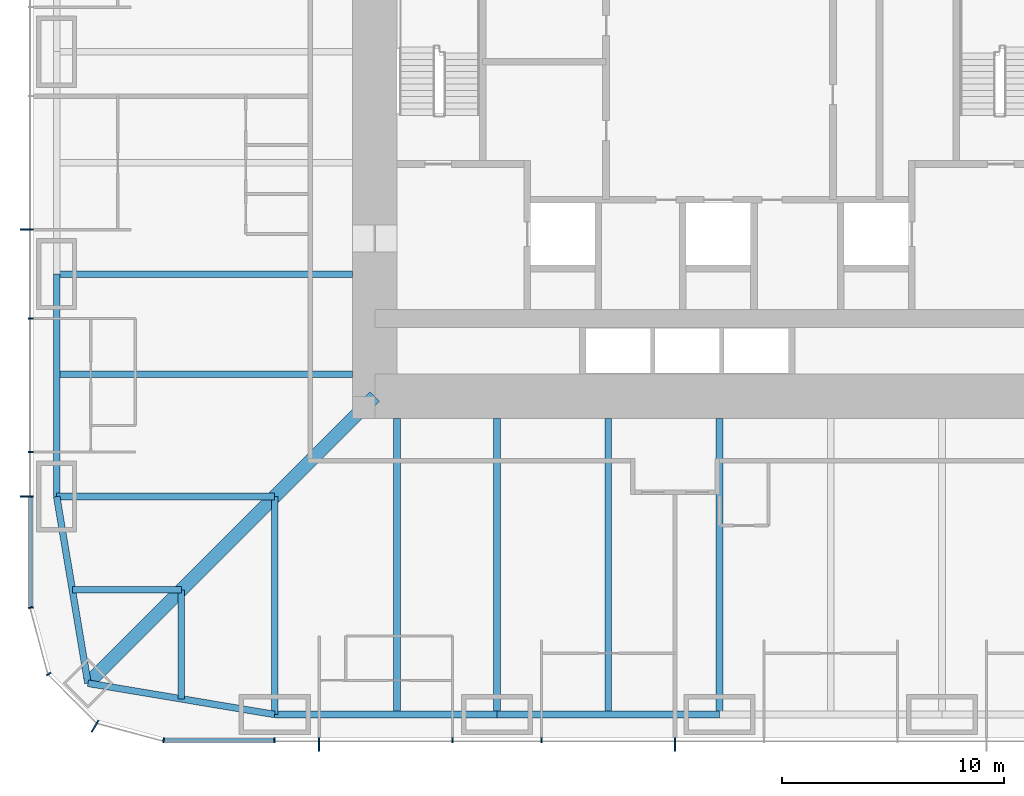
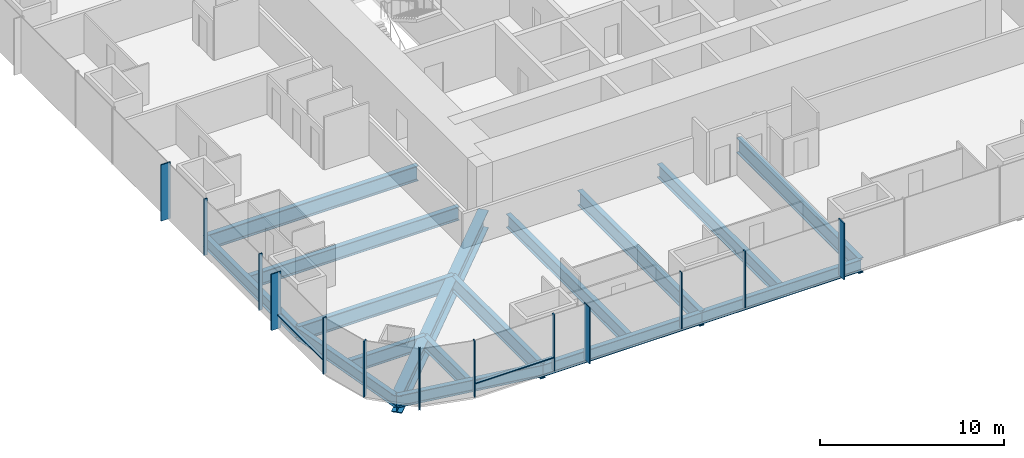
# One storey, part 2 of 17: 16 beams, 15 members, 3 elements without a shape of their own.
"""IFC4 building model written with IfcOpenShell, lengths in metres."""

import ifcopenshell
import ifcopenshell.guid

model = None  # the IFC model being written
_history = None  # IfcOwnerHistory: only IFC2X3 demands one
_inside = {}  # id of a spatial element -> (the spatial element, [elements in it])
_under = {}  # id of a project, library or spatial element -> (it, [spatial elements below it])
_declared = {}  # id of a project -> (the project, [libraries it declares])
_typed = {}  # id of a type object -> (the type object, [elements of that type])
_made_of = {}  # id of a material, layer set ... -> (it, [elements and type objects made of it])


def new_model(schema):
    """Start an empty IFC model of exactly this schema.

    Asked for "IFC4X3", IfcOpenShell would pick the latest addendum, in which some entities
    have other attributes; the version numbers below select the first issue.
    IFC2X3 requires an IfcOwnerHistory on every rooted entity: one is made here for all.
    """
    global model, _history
    if schema == "IFC4X3":
        model = ifcopenshell.file(schema_version=(4, 3, 0, 0))
    else:
        model = ifcopenshell.file(schema=schema)
    _inside.clear()
    _under.clear()
    _declared.clear()
    _typed.clear()
    _made_of.clear()
    _history = None
    if model.schema == "IFC2X3":
        org = make("IfcOrganization", Name="unknown")
        user = make(
            "IfcPersonAndOrganization",
            ThePerson=make("IfcPerson", FamilyName="unknown"),
            TheOrganization=org,
        )
        app = make(
            "IfcApplication",
            ApplicationDeveloper=org,
            Version="unknown",
            ApplicationFullName="unknown",
            ApplicationIdentifier="unknown",
        )
        _history = make(
            "IfcOwnerHistory",
            OwningUser=user,
            OwningApplication=app,
            ChangeAction="ADDED",
            CreationDate=0,
        )
    return model


def make(cls, **values):
    """One entity of the class cls with the attributes given. An attribute that is None is left unset."""
    return model.create_entity(
        cls, **{name: value for name, value in values.items() if value is not None}
    )


def rooted(cls, **values):
    """An entity with a GlobalId (a new one), such as an element, a storey or a relation."""
    return make(cls, GlobalId=ifcopenshell.guid.new(), OwnerHistory=_history, **values)


def si_unit(unit_type, name, prefix=None):
    """IfcSIUnit, for example si_unit("LENGTHUNIT", "METRE", prefix="MILLI")."""
    return make("IfcSIUnit", UnitType=unit_type, Prefix=prefix, Name=name)


def assignment(units):
    """IfcUnitAssignment: the units of a project."""
    return None if units is None else make("IfcUnitAssignment", Units=units)


def point(xyz):
    """IfcCartesianPoint."""
    return None if xyz is None else make("IfcCartesianPoint", Coordinates=xyz)


def direction(xyz):
    """IfcDirection."""
    return None if xyz is None else make("IfcDirection", DirectionRatios=xyz)


def frame(location, z_axis=None, x_axis=None):
    """IfcAxis2Placement3D, a coordinate frame: its origin and axes. An axis left out is left unset."""
    return make(
        "IfcAxis2Placement3D",
        Location=point(location),
        Axis=direction(z_axis),
        RefDirection=direction(x_axis),
    )


def frame_2d(location, x_axis=None):
    """IfcAxis2Placement2D, a coordinate frame in the plane: its origin and x axis."""
    return make(
        "IfcAxis2Placement2D", Location=point(location), RefDirection=direction(x_axis)
    )


def origin():
    """The frame at (0, 0, 0) with its axes left unset."""
    return frame((0.0, 0.0, 0.0))


def origin_2d():
    """The frame at (0, 0) in the plane with its x axis left unset."""
    return frame_2d((0.0, 0.0))


def place(relative_to, where):
    """IfcLocalPlacement: puts the frame where relative to a parent placement (None: the world)."""
    return make(
        "IfcLocalPlacement", PlacementRelTo=relative_to, RelativePlacement=where
    )


def context(
    kind, dimensions, precision=None, world=None, true_north=None, identifier=None
):
    """IfcGeometricRepresentationContext, for example the 3D "Model" context."""
    return make(
        "IfcGeometricRepresentationContext",
        ContextIdentifier=identifier,
        ContextType=kind,
        CoordinateSpaceDimension=dimensions,
        Precision=precision,
        WorldCoordinateSystem=world,
        TrueNorth=true_north,
    )


def subcontext(parent, identifier, kind, view, scale=None):
    """IfcGeometricRepresentationSubContext, for example "Body" below "Model"."""
    return make(
        "IfcGeometricRepresentationSubContext",
        ContextIdentifier=identifier,
        ContextType=kind,
        ParentContext=parent,
        TargetScale=scale,
        TargetView=view,
    )


def project(units=None, contexts=None):
    """IfcProject with its units and contexts."""
    return rooted(
        "IfcProject",
        Name="project",
        RepresentationContexts=contexts,
        UnitsInContext=assignment(units),
    )


def spatial(cls, under=None, at=None, **own):
    """A site, building, storey or space (cls), placed at a placement, below another one or the project."""
    s = rooted(cls, ObjectPlacement=at, **own)
    if under is not None:
        _under.setdefault(under.id(), (under, []))[1].append(s)
    return s


def profile(cls, at=None, kind="AREA", **sizes):
    """A parametric profile (cls). Its sizes go by their IFC names, for example OverallWidth=200.0."""
    return make(cls, ProfileType=kind, Position=at, **sizes)


def rectangle(**sizes):
    """IfcRectangleProfileDef."""
    return profile("IfcRectangleProfileDef", **sizes)


def i_section(**sizes):
    """IfcIShapeProfileDef."""
    return profile("IfcIShapeProfileDef", **sizes)


def extrude(swept, where, along, depth):
    """IfcExtrudedAreaSolid: the profile swept, set in the frame where, extruded along a direction by depth."""
    return make(
        "IfcExtrudedAreaSolid",
        SweptArea=swept,
        Position=where,
        ExtrudedDirection=direction(along),
        Depth=depth,
    )


def shape(context_of_items, identifier, shape_type, items):
    """IfcShapeRepresentation: the items that make up one representation, for example the "Body"."""
    return make(
        "IfcShapeRepresentation",
        ContextOfItems=context_of_items,
        RepresentationIdentifier=identifier,
        RepresentationType=shape_type,
        Items=items,
    )


def material(Name=None, Category=None):
    """IfcMaterial."""
    return make("IfcMaterial", Name=Name, Category=Category)


def material_profile(
    of_material, cross_section, Name=None, Category=None, Priority=None
):
    """IfcMaterialProfile: a cross section and its material."""
    return make(
        "IfcMaterialProfile",
        Name=Name,
        Material=of_material,
        Profile=cross_section,
        Priority=Priority,
        Category=Category,
    )


def profile_set(profiles, Name=None, composite=None):
    """IfcMaterialProfileSet."""
    return make(
        "IfcMaterialProfileSet",
        Name=Name,
        MaterialProfiles=profiles,
        CompositeProfile=composite,
    )


def made_of(thing, what):
    """Note that an element or type object is made of a material, layer set ...; save() writes the relation."""
    if what is not None:
        _made_of.setdefault(what.id(), (what, []))[1].append(thing)
    return thing


def type_object(cls, material=None, **own):
    """A type object (cls), such as IfcWallType, which elements share."""
    return made_of(rooted(cls, **own), material)


def element(
    cls,
    number,
    at=None,
    inside=None,
    cuts=None,
    type_object=None,
    material=None,
    context=None,
    identifier="Body",
    shape_type=None,
    held_by="IfcProductDefinitionShape",
    body=None,
    shapes=None,
    **own,
):
    """One element of the class cls, such as IfcWall. Its Tag is "e" and its number.

    at: its placement. inside: the storey or other place that contains it. cuts: it is an
    opening in that element (IfcRelVoidsElement). A single representation is given by context,
    identifier, shape_type and body (its items); several are given by shapes. held_by: the class
    of the entity that holds the representations. save() writes the other relations.
    """
    e = rooted(cls, Tag="e%d" % number, ObjectPlacement=at, **own)
    if body is not None:
        shapes = [shape(context, identifier, shape_type, body)]
    if shapes is not None:
        e.Representation = make(held_by, Representations=shapes)
    if inside is not None:
        _inside.setdefault(inside.id(), (inside, []))[1].append(e)
    if cuts is not None:
        rooted(
            "IfcRelVoidsElement", RelatingBuildingElement=cuts, RelatedOpeningElement=e
        )
    if type_object is not None:
        _typed.setdefault(type_object.id(), (type_object, []))[1].append(e)
    return made_of(e, material)


def aggregate(whole, parts):
    """IfcRelAggregates: a whole, such as a stair, and the parts it consists of."""
    return rooted("IfcRelAggregates", RelatingObject=whole, RelatedObjects=parts)


def save(model, path):
    """Write the relations noted so far, then the file.

    IfcRelAggregates (storeys below a building ...), IfcRelContainedInSpatialStructure (elements
    in a storey), IfcRelDefinesByType, IfcRelAssociatesMaterial and IfcRelDeclares: one each for
    every whole, place, type object, material and project.
    """
    for whole, parts in _under.values():
        aggregate(whole, parts)
    for where, things in _inside.values():
        rooted(
            "IfcRelContainedInSpatialStructure",
            RelatedElements=things,
            RelatingStructure=where,
        )
    for kind, things in _typed.values():
        rooted("IfcRelDefinesByType", RelatedObjects=things, RelatingType=kind)
    for what, things in _made_of.values():
        rooted("IfcRelAssociatesMaterial", RelatedObjects=things, RelatingMaterial=what)
    for by, libraries in _declared.values():
        rooted("IfcRelDeclares", RelatingContext=by, RelatedDefinitions=libraries)
    model.write(path)


model = new_model("IFC4")

# Units and contexts
model_context = context("Model", 3, precision=1e-05, world=origin(), true_north=direction((0.0, 1.0)))
body_context = subcontext(model_context, "Body", "Model", "MODEL_VIEW")
ifc_project = project(units=[si_unit("LENGTHUNIT", "METRE"), si_unit("AREAUNIT", "SQUARE_METRE"), si_unit("VOLUMEUNIT", "CUBIC_METRE"), si_unit("PLANEANGLEUNIT", "RADIAN"), si_unit("MASSUNIT", "GRAM", prefix="KILO")], contexts=[model_context])

# Site, building, storey
site_placement = place(None, origin())
site = spatial("IfcSite", under=ifc_project, at=site_placement, CompositionType="ELEMENT")
building_placement = place(site_placement, origin())
building = spatial("IfcBuilding", under=site, at=building_placement, Name="Khuree Lantern Residences", CompositionType="ELEMENT")
storey_placement = place(building_placement, frame((0.0, 0.0, 88.5)))
storey = spatial("IfcBuildingStorey", under=building, at=storey_placement, Name="L22", CompositionType="ELEMENT", Elevation=88.5)

# Beams
ifc_material_1 = material(Name="Steel S355", Category="steel")
ifc_material_profile_1 = material_profile(ifc_material_1, i_section(OverallWidth=0.300048828125, OverallDepth=0.889892578125, WebThickness=0.01611328125, FlangeThickness=0.030029296875, FilletRadius=0.030029296875, at=origin_2d()), Name="HE 900 A")
ifc_profile_set_1 = profile_set([ifc_material_profile_1], Name="Steel S355")
beam_type_1 = type_object("IfcBeamType", Name="B-15 SECONDARY BEAM HE 900 A", PredefinedType="BEAM", material=ifc_profile_set_1)
for number, where, z_axis, x_axis, name in (
    (1, (-5.0, -29.800048828125, -0.695068359375), (0.0, 1.0, 0.0), (-1.0, 0.0, 0.0), "Secondary beam S4"),
    (2, (-14.5, -29.800048828125, -0.695068359375), (0.0, 1.0, 0.0), (-1.0, 0.0, 0.0), "Secondary beam S5"),
):
    element("IfcBeam", number, at=place(storey_placement, frame(where, z_axis=z_axis, x_axis=x_axis)), inside=storey, type_object=beam_type_1, Name=name, PredefinedType="BEAM", context=body_context, shape_type="SweptSolid", body=[
        extrude(i_section(OverallWidth=0.300048828125, OverallDepth=0.889892578125, WebThickness=0.01611328125, FlangeThickness=0.030029296875, FilletRadius=0.030029296875, at=origin_2d()), origin(), (0.0, 0.0, 1.0), 13.300048828125),
    ])
for number, where, z_axis, x_axis, name in (
    (3, (-24.197021484375, -29.09716796875, -0.695068359375), (0.0, 1.0, 0.0), (-1.0, 0.0, 0.0), "Secondary beam S6"),
    (4, (-29.09716796875, -24.197021484375, -0.695068359375), (1.0, 0.0, 0.0), (0.0, 1.0, 0.0), "Secondary beam W1"),
):
    element("IfcBeam", number, at=place(storey_placement, frame(where, z_axis=z_axis, x_axis=x_axis)), inside=storey, type_object=beam_type_1, Name=name, PredefinedType="BEAM", context=body_context, shape_type="SweptSolid", body=[
        extrude(i_section(OverallWidth=0.300048828125, OverallDepth=0.889892578125, WebThickness=0.01611328125, FlangeThickness=0.030029296875, FilletRadius=0.030029296875, at=origin_2d()), origin(), (0.0, 0.0, 1.0), 4.900146484375),
    ])
beam_1_placement = place(storey_placement, frame((-29.800048828125, -14.5, -0.695068359375), z_axis=(1.0, 0.0, 0.0), x_axis=(0.0, 1.0, 0.0)))
element("IfcBeam", 5, at=beam_1_placement, inside=storey, type_object=beam_type_1, Name="Secondary beam W2", PredefinedType="BEAM", context=body_context, shape_type="SweptSolid", body=[
    extrude(i_section(OverallWidth=0.300048828125, OverallDepth=0.889892578125, WebThickness=0.01611328125, FlangeThickness=0.030029296875, FilletRadius=0.030029296875, at=origin_2d()), origin(), (0.0, 0.0, 1.0), 13.300048828125),
])
ifc_material_profile_2 = material_profile(ifc_material_1, i_section(OverallWidth=0.300048828125, OverallDepth=0.7900390625, WebThickness=0.014892578125, FlangeThickness=0.028076171875, FilletRadius=0.030029296875, at=origin_2d()), Name="HE 800 A")
ifc_profile_set_2 = profile_set([ifc_material_profile_2], Name="Steel S355")
beam_type_2 = type_object("IfcBeamType", Name="E-15 SPANDREL BEAM HE 800 A", PredefinedType="SPANDREL", material=ifc_profile_set_2)
for number, where, z_axis, x_axis, name in (
    (6, (0.0, -29.800048828125, -0.64501953125), (-1.0, 0.0, 0.0), (0.0, -1.0, 0.0), "Spandrel beam S4"),
    (7, (-10.0, -29.800048828125, -0.64501953125), (-1.0, 0.0, 0.0), (0.0, -1.0, 0.0), "Spandrel beam S5"),
):
    element("IfcBeam", number, at=place(storey_placement, frame(where, z_axis=z_axis, x_axis=x_axis)), inside=storey, type_object=beam_type_2, Name=name, PredefinedType="SPANDREL", context=body_context, shape_type="SweptSolid", body=[
        extrude(i_section(OverallWidth=0.300048828125, OverallDepth=0.7900390625, WebThickness=0.014892578125, FlangeThickness=0.028076171875, FilletRadius=0.030029296875, at=origin_2d()), origin(), (0.0, 0.0, 1.0), 10.0),
    ])
for number, where, z_axis, x_axis, name in (
    (8, (-20.0, -29.800048828125, -0.64501953125), (-0.986260251158, 0.165199022349, 0.0), (-0.165199022349, -0.986260251158, 0.0), "Spandrel beam S6"),
    (9, (-28.39404296875, -28.39404296875, -0.64501953125), (-0.165199022349, 0.986260251158, 0.0), (-0.986260251158, -0.165199022349, 0.0), "Spandrel beam W1"),
):
    element("IfcBeam", number, at=place(storey_placement, frame(where, z_axis=z_axis, x_axis=x_axis)), inside=storey, type_object=beam_type_2, Name=name, PredefinedType="SPANDREL", context=body_context, shape_type="SweptSolid", body=[
        extrude(i_section(OverallWidth=0.300048828125, OverallDepth=0.7900390625, WebThickness=0.014892578125, FlangeThickness=0.028076171875, FilletRadius=0.030029296875, at=origin_2d()), origin(), (0.0, 0.0, 1.0), 8.510986328125),
    ])
beam_2_placement = place(storey_placement, frame((-29.800048828125, -20.0, -0.64501953125), z_axis=(0.0, 1.0, 0.0), x_axis=(-1.0, 0.0, 0.0)))
element("IfcBeam", 10, at=beam_2_placement, inside=storey, type_object=beam_type_2, Name="Spandrel beam W2", PredefinedType="SPANDREL", context=body_context, shape_type="SweptSolid", body=[
    extrude(i_section(OverallWidth=0.300048828125, OverallDepth=0.7900390625, WebThickness=0.014892578125, FlangeThickness=0.028076171875, FilletRadius=0.030029296875, at=origin_2d()), origin(), (0.0, 0.0, 1.0), 10.0),
])

# Curtain wall, members
ifc_material_2 = material(Name="Bronze anodised aluminium", Category="aluminium")
curtain_wall_type_1 = type_object("IfcCurtainWallType", Name="CW-T1 TOWER FACE CURTAIN WALL", PredefinedType="USERDEFINED", material=ifc_material_2)
curtain_wall_1_placement = place(storey_placement, origin())
curtain_wall_1 = element("IfcCurtainWall", 11, at=curtain_wall_1_placement, inside=storey, type_object=curtain_wall_type_1, Name="L22 WEST FACE CURTAIN WALL", ObjectType="Stick-built curtain wall", PredefinedType="USERDEFINED")
ifc_material_profile_3 = material_profile(ifc_material_2, rectangle(XDim=0.06494140625, YDim=0.60009765625, at=origin_2d()), Name="F1 65X600")
ifc_profile_set_3 = profile_set([ifc_material_profile_3], Name="Bronze anodised aluminium")
member_type_1 = type_object("IfcMemberType", Name="F1 BRONZE FIN MULLION TOWER 65X600", PredefinedType="MULLION", material=ifc_profile_set_3)
member_1_placement = place(storey_placement, frame((-31.14990234375, -8.0, 0.0), z_axis=(0.0, 0.0, 1.0), x_axis=(0.0, -1.0, 0.0)))
member_1 = element("IfcMember", 12, at=member_1_placement, type_object=member_type_1, Name="L22 WEST FACE FIN MULLION 39", PredefinedType="MULLION", context=body_context, shape_type="SweptSolid", body=[
    extrude(rectangle(XDim=0.06494140625, YDim=0.60009765625, at=origin_2d()), origin(), (0.0, 0.0, 1.0), 3.75),
])
member_2_placement = place(storey_placement, frame((-31.14990234375, -20.0, 0.0), z_axis=(0.0, 0.0, 1.0), x_axis=(0.0, -1.0, 0.0)))
member_2 = element("IfcMember", 13, at=member_2_placement, type_object=member_type_1, Name="L22 WEST FACE FIN MULLION 42", PredefinedType="MULLION", context=body_context, shape_type="SweptSolid", body=[
    extrude(rectangle(XDim=0.06494140625, YDim=0.60009765625, at=origin_2d()), origin(), (0.0, 0.0, 1.0), 3.75),
])

# Curtain wall, member
curtain_wall_type_2 = type_object("IfcCurtainWallType", Name="CW-T2 TOWER CORNER CURTAIN WALL", PredefinedType="USERDEFINED", material=ifc_material_2)
curtain_wall_2_placement = place(storey_placement, origin())
curtain_wall_2 = element("IfcCurtainWall", 14, at=curtain_wall_2_placement, inside=storey, type_object=curtain_wall_type_2, Name="L22 SOUTH-WEST CORNER CURTAIN WALL", ObjectType="Faceted corner curtain wall", PredefinedType="USERDEFINED")
member_3_placement = place(storey_placement, frame((-28.074951171875, -30.326171875, 0.0), z_axis=(0.0, 0.0, 1.0), x_axis=(0.86602537092, -0.500000056923, 0.0)))
member_3 = element("IfcMember", 15, at=member_3_placement, type_object=member_type_1, Name="L22 SOUTH-WEST CORNER FIN MULLION 45", PredefinedType="MULLION", context=body_context, shape_type="SweptSolid", body=[
    extrude(rectangle(XDim=0.06494140625, YDim=0.60009765625, at=origin_2d()), origin(), (0.0, 0.0, 1.0), 3.75),
])

# Curtain wall, members
curtain_wall_3_placement = place(storey_placement, origin())
curtain_wall_3 = element("IfcCurtainWall", 16, at=curtain_wall_3_placement, inside=storey, type_object=curtain_wall_type_1, Name="L22 SOUTH FACE CURTAIN WALL", ObjectType="Stick-built curtain wall", PredefinedType="USERDEFINED")
member_4_placement = place(storey_placement, frame((-18.0, -31.14990234375, 0.0), z_axis=(0.0, 0.0, 1.0), x_axis=(1.0, 0.0, 0.0)))
member_4 = element("IfcMember", 17, at=member_4_placement, type_object=member_type_1, Name="L22 SOUTH FACE FIN MULLION 48", PredefinedType="MULLION", context=body_context, shape_type="SweptSolid", body=[
    extrude(rectangle(XDim=0.06494140625, YDim=0.60009765625, at=origin_2d()), origin(), (0.0, 0.0, 1.0), 3.75),
])
member_5_placement = place(storey_placement, frame((-2.0, -31.14990234375, 0.0), z_axis=(0.0, 0.0, 1.0), x_axis=(1.0, 0.0, 0.0)))
member_5 = element("IfcMember", 18, at=member_5_placement, type_object=member_type_1, Name="L22 SOUTH FACE FIN MULLION 51", PredefinedType="MULLION", context=body_context, shape_type="SweptSolid", body=[
    extrude(rectangle(XDim=0.06494140625, YDim=0.60009765625, at=origin_2d()), origin(), (0.0, 0.0, 1.0), 3.75),
])

# Beams
ifc_material_profile_4 = material_profile(ifc_material_1, i_section(OverallWidth=0.302001953125, OverallDepth=1.008056640625, WebThickness=0.02099609375, FlangeThickness=0.0400390625, FilletRadius=0.030029296875, at=origin_2d()), Name="HE 1000 M")
ifc_profile_set_4 = profile_set([ifc_material_profile_4], Name="Steel S355")
beam_type_3 = type_object("IfcBeamType", Name="G-15 GIRDER HE 1000 M", PredefinedType="BEAM", material=ifc_profile_set_4)
for number, where, z_axis, x_axis, name in (
    (19, (0.0, -29.800048828125, -0.75390625), (0.0, 1.0, 0.0), (-1.0, 0.0, 0.0), "Girder S3"),
    (20, (-10.0, -29.800048828125, -0.75390625), (0.0, 1.0, 0.0), (-1.0, 0.0, 0.0), "Girder S4"),
):
    element("IfcBeam", number, at=place(storey_placement, frame(where, z_axis=z_axis, x_axis=x_axis)), inside=storey, type_object=beam_type_3, Name=name, PredefinedType="BEAM", context=body_context, shape_type="SweptSolid", body=[
        extrude(i_section(OverallWidth=0.302001953125, OverallDepth=1.008056640625, WebThickness=0.02099609375, FlangeThickness=0.0400390625, FilletRadius=0.030029296875, at=origin_2d()), origin(), (0.0, 0.0, 1.0), 13.300048828125),
    ])
for number, where, z_axis, x_axis, name in (
    (21, (-20.0, -29.800048828125, -0.75390625), (0.0, 1.0, 0.0), (-1.0, 0.0, 0.0), "Girder S5"),
    (22, (-29.800048828125, -20.0, -0.75390625), (1.0, 0.0, 0.0), (0.0, 1.0, 0.0), "Girder W1"),
):
    element("IfcBeam", number, at=place(storey_placement, frame(where, z_axis=z_axis, x_axis=x_axis)), inside=storey, type_object=beam_type_3, Name=name, PredefinedType="BEAM", context=body_context, shape_type="SweptSolid", body=[
        extrude(i_section(OverallWidth=0.302001953125, OverallDepth=1.008056640625, WebThickness=0.02099609375, FlangeThickness=0.0400390625, FilletRadius=0.030029296875, at=origin_2d()), origin(), (0.0, 0.0, 1.0), 9.800048828125),
    ])
beam_3_placement = place(storey_placement, frame((-29.800048828125, -10.0, -0.75390625), z_axis=(1.0, 0.0, 0.0), x_axis=(0.0, 1.0, 0.0)))
element("IfcBeam", 23, at=beam_3_placement, inside=storey, type_object=beam_type_3, Name="Girder W2", PredefinedType="BEAM", context=body_context, shape_type="SweptSolid", body=[
    extrude(i_section(OverallWidth=0.302001953125, OverallDepth=1.008056640625, WebThickness=0.02099609375, FlangeThickness=0.0400390625, FilletRadius=0.030029296875, at=origin_2d()), origin(), (0.0, 0.0, 1.0), 13.300048828125),
])
ifc_material_profile_5 = material_profile(ifc_material_1, i_section(OverallWidth=0.60009765625, OverallDepth=1.199951171875, WebThickness=0.030029296875, FlangeThickness=0.06005859375, at=origin_2d()), Name="WELDED I 1200X600X30X60")
ifc_profile_set_5 = profile_set([ifc_material_profile_5], Name="Steel S355")
beam_type_4 = type_object("IfcBeamType", Name="GD-15 CORNER GIRDER WELDED I 1200X600X30X60", PredefinedType="BEAM", material=ifc_profile_set_5)
beam_4_placement = place(storey_placement, frame((-28.39404296875, -28.39404296875, -0.85009765625), z_axis=(0.707106781187, 0.707106781187, 0.0), x_axis=(-0.707106781187, 0.707106781187, 0.0)))
element("IfcBeam", 24, at=beam_4_placement, inside=storey, type_object=beam_type_4, Name="Corner girder SW", PredefinedType="BEAM", context=body_context, shape_type="SweptSolid", body=[
    extrude(i_section(OverallWidth=0.60009765625, OverallDepth=1.199951171875, WebThickness=0.030029296875, FlangeThickness=0.06005859375, at=origin_2d()), origin(), (0.0, 0.0, 1.0), 18.23486328125),
])

# Member
ifc_material_profile_6 = material_profile(ifc_material_2, rectangle(XDim=0.06494140625, YDim=0.219970703125, at=origin_2d()), Name="M1 65X220")
ifc_profile_set_6 = profile_set([ifc_material_profile_6], Name="Bronze anodised aluminium")
member_type_2 = type_object("IfcMemberType", Name="M1 BRONZE MULLION TOWER 65X220", PredefinedType="MULLION", material=ifc_profile_set_6)
member_6_placement = place(storey_placement, frame((-30.9599609375, -12.0, 0.0), z_axis=(0.0, 0.0, 1.0), x_axis=(0.0, -1.0, 0.0)))
member_6 = element("IfcMember", 25, at=member_6_placement, type_object=member_type_2, Name="L22 WEST FACE MULLION 40", PredefinedType="MULLION", context=body_context, shape_type="SweptSolid", body=[
    extrude(rectangle(XDim=0.06494140625, YDim=0.219970703125, at=origin_2d()), origin(), (0.0, 0.0, 1.0), 3.75),
])

member_7_placement = place(storey_placement, frame((-30.9599609375, -18.0, 0.0), z_axis=(0.0, 0.0, 1.0), x_axis=(0.0, -1.0, 0.0)))
member_7 = element("IfcMember", 26, at=member_7_placement, type_object=member_type_2, Name="L22 WEST FACE MULLION 41", PredefinedType="MULLION", context=body_context, shape_type="SweptSolid", body=[
    extrude(rectangle(XDim=0.06494140625, YDim=0.219970703125, at=origin_2d()), origin(), (0.0, 0.0, 1.0), 3.75),
])

member_8_placement = place(storey_placement, frame((-30.961669921875, -24.994873046875, 0.0), z_axis=(0.0, 0.0, 1.0), x_axis=(0.130526257387, -0.991444852794, 0.0)))
member_8 = element("IfcMember", 27, at=member_8_placement, type_object=member_type_2, Name="L22 SOUTH-WEST CORNER MULLION 43", PredefinedType="MULLION", context=body_context, shape_type="SweptSolid", body=[
    extrude(rectangle(XDim=0.06494140625, YDim=0.219970703125, at=origin_2d()), origin(), (0.0, 0.0, 1.0), 3.75),
])

member_9_placement = place(storey_placement, frame((-30.16162109375, -27.97998046875, 0.0), z_axis=(0.0, 0.0, 1.0), x_axis=(0.500000056923, -0.86602537092, 0.0)))
member_9 = element("IfcMember", 28, at=member_9_placement, type_object=member_type_2, Name="L22 SOUTH-WEST CORNER MULLION 44", PredefinedType="MULLION", context=body_context, shape_type="SweptSolid", body=[
    extrude(rectangle(XDim=0.06494140625, YDim=0.219970703125, at=origin_2d()), origin(), (0.0, 0.0, 1.0), 3.75),
])

aggregate(curtain_wall_2, [member_8, member_9, member_3])

member_10_placement = place(storey_placement, frame((-24.994873046875, -30.961669921875, 0.0), z_axis=(0.0, 0.0, 1.0), x_axis=(0.991444852794, -0.130526257387, 0.0)))
member_10 = element("IfcMember", 29, at=member_10_placement, type_object=member_type_2, Name="L22 SOUTH FACE MULLION 46", PredefinedType="MULLION", context=body_context, shape_type="SweptSolid", body=[
    extrude(rectangle(XDim=0.06494140625, YDim=0.219970703125, at=origin_2d()), origin(), (0.0, 0.0, 1.0), 3.75),
])

member_11_placement = place(storey_placement, frame((-20.0, -30.9599609375, 0.0), z_axis=(0.0, 0.0, 1.0), x_axis=(1.0, 0.0, 0.0)))
member_11 = element("IfcMember", 30, at=member_11_placement, type_object=member_type_2, Name="L22 SOUTH FACE MULLION 47", PredefinedType="MULLION", context=body_context, shape_type="SweptSolid", body=[
    extrude(rectangle(XDim=0.06494140625, YDim=0.219970703125, at=origin_2d()), origin(), (0.0, 0.0, 1.0), 3.75),
])

member_12_placement = place(storey_placement, frame((-12.0, -30.9599609375, 0.0), z_axis=(0.0, 0.0, 1.0), x_axis=(1.0, 0.0, 0.0)))
member_12 = element("IfcMember", 31, at=member_12_placement, type_object=member_type_2, Name="L22 SOUTH FACE MULLION 49", PredefinedType="MULLION", context=body_context, shape_type="SweptSolid", body=[
    extrude(rectangle(XDim=0.06494140625, YDim=0.219970703125, at=origin_2d()), origin(), (0.0, 0.0, 1.0), 3.75),
])

member_13_placement = place(storey_placement, frame((-8.0, -30.9599609375, 0.0), z_axis=(0.0, 0.0, 1.0), x_axis=(1.0, 0.0, 0.0)))
member_13 = element("IfcMember", 32, at=member_13_placement, type_object=member_type_2, Name="L22 SOUTH FACE MULLION 50", PredefinedType="MULLION", context=body_context, shape_type="SweptSolid", body=[
    extrude(rectangle(XDim=0.06494140625, YDim=0.219970703125, at=origin_2d()), origin(), (0.0, 0.0, 1.0), 3.75),
])

ifc_material_profile_7 = material_profile(ifc_material_2, rectangle(XDim=0.179931640625, YDim=0.06494140625, at=origin_2d()), Name="T1 180X65")
ifc_profile_set_7 = profile_set([ifc_material_profile_7], Name="Bronze anodised aluminium")
member_type_3 = type_object("IfcMemberType", Name="TRANSOM T1 TOWER 180X65", PredefinedType="USERDEFINED", material=ifc_profile_set_7)
member_14_placement = place(storey_placement, frame((-30.969970703125, -20.032470703125, 0.89990234375), z_axis=(0.0, -1.0, 0.0), x_axis=(1.0, 0.0, 0.0)))
member_14 = element("IfcMember", 33, at=member_14_placement, type_object=member_type_3, Name="L22 WEST FACE TRANSOM 42.1", ObjectType="Transom", PredefinedType="USERDEFINED", context=body_context, shape_type="SweptSolid", body=[
    extrude(rectangle(XDim=0.179931640625, YDim=0.06494140625, at=origin_2d()), origin(), (0.0, 0.0, 1.0), 4.9189453125),
])

aggregate(curtain_wall_1, [member_1, member_6, member_7, member_2, member_14])

member_15_placement = place(storey_placement, frame((-24.951416015625, -30.969970703125, 0.89990234375), z_axis=(1.0, 0.0, 0.0), x_axis=(0.0, 1.0, 0.0)))
member_15 = element("IfcMember", 34, at=member_15_placement, type_object=member_type_3, Name="L22 SOUTH FACE TRANSOM 46.1", ObjectType="Transom", PredefinedType="USERDEFINED", context=body_context, shape_type="SweptSolid", body=[
    extrude(rectangle(XDim=0.179931640625, YDim=0.06494140625, at=origin_2d()), origin(), (0.0, 0.0, 1.0), 4.9189453125),
])

aggregate(curtain_wall_3, [member_10, member_11, member_4, member_12, member_13, member_5, member_15])

save(model, "model.ifc")
